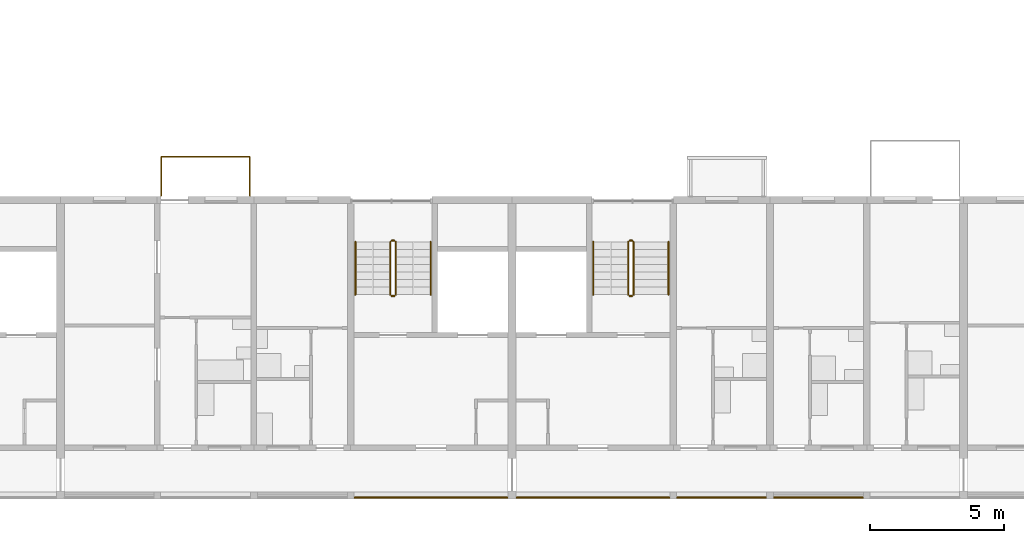
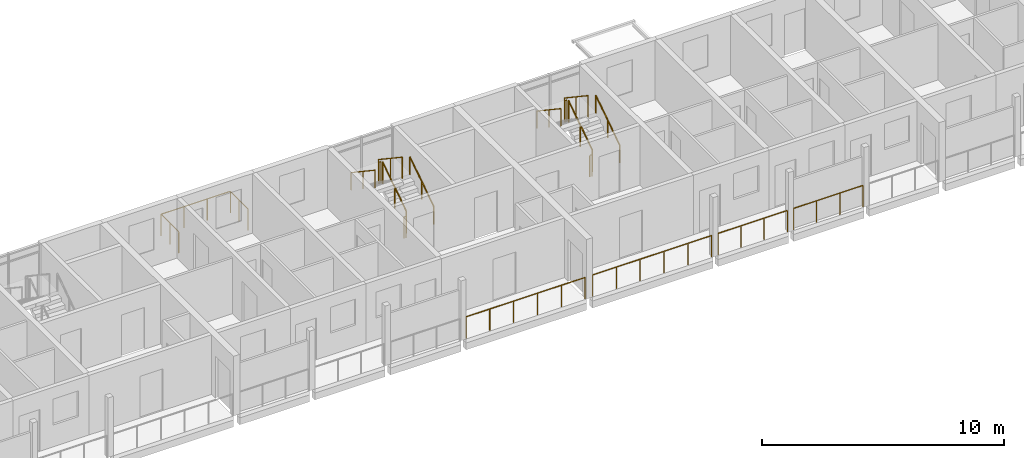
# One storey, part 78 of 99: 17 railings.
"""IFC4 building model written with IfcOpenShell, lengths in metres."""

from ifc_helpers import new_model, si_unit, direction, frame, origin, origin_2d, place, context, subcontext, project, spatial, circle, extrude, material, type_object, element, save


model = new_model("IFC4")

# Units and contexts
model_context = context("Model", 3, precision=1e-05, world=origin(), true_north=direction((0.0, 1.0)))
body_context = subcontext(model_context, "Body", "Model", "MODEL_VIEW")
ifc_project = project(units=[si_unit("LENGTHUNIT", "METRE"), si_unit("AREAUNIT", "SQUARE_METRE"), si_unit("VOLUMEUNIT", "CUBIC_METRE"), si_unit("PLANEANGLEUNIT", "RADIAN"), si_unit("MASSUNIT", "GRAM", prefix="KILO")], contexts=[model_context])

# Site, building, storey
site_placement = place(None, origin())
site = spatial("IfcSite", under=ifc_project, at=site_placement, CompositionType="ELEMENT")
building_placement = place(site_placement, origin())
building = spatial("IfcBuilding", under=site, at=building_placement, Name="Ridgestep Commons", CompositionType="ELEMENT")
storey_placement = place(building_placement, frame((0.0, 0.0, 15.0)))
storey = spatial("IfcBuildingStorey", under=building, at=storey_placement, Name="L05", CompositionType="ELEMENT", Elevation=15.0)

# Railings
ifc_material_1 = material(Name="Structural steel S355JR", Category="steel")
railing_type_1 = type_object("IfcRailingType", Name="Guard 1100", PredefinedType="GUARDRAIL", material=ifc_material_1)
railing_1_placement = place(storey_placement, frame((39.74609375, 11.800048828125, 0.0)))
element("IfcRailing", 1, at=railing_1_placement, inside=storey, type_object=railing_type_1, Name="Gallery guard A 05.8", PredefinedType="GUARDRAIL", context=body_context, shape_type="SweptSolid", body=[
    extrude(circle(Radius=0.02392578125, at=origin_2d()), frame((0.0, 0.0, 1.076171875), z_axis=(1.0, 0.0, 0.0), x_axis=(0.0, 1.0, 0.0)), (0.0, 0.0, 1.0), 5.682861328125),
    extrude(circle(Radius=0.02099609375, at=origin_2d()), origin(), (0.0, 0.0, 1.0), 1.052001953125),
    extrude(circle(Radius=0.02099609375, at=origin_2d()), frame((1.136474609375, 0.0, 0.0)), (0.0, 0.0, 1.0), 1.052001953125),
    extrude(circle(Radius=0.02099609375, at=origin_2d()), frame((2.273193359375, 0.0, 0.0)), (0.0, 0.0, 1.0), 1.052001953125),
    extrude(circle(Radius=0.02099609375, at=origin_2d()), frame((3.40966796875, 0.0, 0.0)), (0.0, 0.0, 1.0), 1.052001953125),
    extrude(circle(Radius=0.02099609375, at=origin_2d()), frame((4.54638671875, 0.0, 0.0)), (0.0, 0.0, 1.0), 1.052001953125),
    extrude(circle(Radius=0.02099609375, at=origin_2d()), frame((5.682861328125, 0.0, 0.0)), (0.0, 0.0, 1.0), 1.052001953125),
])
railing_2_placement = place(storey_placement, frame((45.77099609375, 11.800048828125, 0.0)))
element("IfcRailing", 2, at=railing_2_placement, inside=storey, type_object=railing_type_1, Name="Gallery guard A 05.9", PredefinedType="GUARDRAIL", context=body_context, shape_type="SweptSolid", body=[
    extrude(circle(Radius=0.02392578125, at=origin_2d()), frame((0.0, 0.0, 1.076171875), z_axis=(1.0, 0.0, 0.0), x_axis=(0.0, 1.0, 0.0)), (0.0, 0.0, 1.0), 5.68310546875),
    extrude(circle(Radius=0.02099609375, at=origin_2d()), origin(), (0.0, 0.0, 1.0), 1.052001953125),
    extrude(circle(Radius=0.02099609375, at=origin_2d()), frame((1.13671875, 0.0, 0.0)), (0.0, 0.0, 1.0), 1.052001953125),
    extrude(circle(Radius=0.02099609375, at=origin_2d()), frame((2.273193359375, 0.0, 0.0)), (0.0, 0.0, 1.0), 1.052001953125),
    extrude(circle(Radius=0.02099609375, at=origin_2d()), frame((3.409912109375, 0.0, 0.0)), (0.0, 0.0, 1.0), 1.052001953125),
    extrude(circle(Radius=0.02099609375, at=origin_2d()), frame((4.54638671875, 0.0, 0.0)), (0.0, 0.0, 1.0), 1.052001953125),
    extrude(circle(Radius=0.02099609375, at=origin_2d()), frame((5.68310546875, 0.0, 0.0)), (0.0, 0.0, 1.0), 1.052001953125),
])
railing_3_placement = place(storey_placement, frame((51.74609375, 11.800048828125, 0.0)))
element("IfcRailing", 3, at=railing_3_placement, inside=storey, type_object=railing_type_1, Name="Gallery guard A 05.10", PredefinedType="GUARDRAIL", context=body_context, shape_type="SweptSolid", body=[
    extrude(circle(Radius=0.02392578125, at=origin_2d()), frame((0.0, 0.0, 1.076171875), z_axis=(1.0, 0.0, 0.0), x_axis=(0.0, 1.0, 0.0)), (0.0, 0.0, 1.0), 3.307861328125),
    extrude(circle(Radius=0.02099609375, at=origin_2d()), origin(), (0.0, 0.0, 1.0), 1.052001953125),
    extrude(circle(Radius=0.02099609375, at=origin_2d()), frame((1.1025390625, 0.0, 0.0)), (0.0, 0.0, 1.0), 1.052001953125),
    extrude(circle(Radius=0.02099609375, at=origin_2d()), frame((2.205322265625, 0.0, 0.0)), (0.0, 0.0, 1.0), 1.052001953125),
    extrude(circle(Radius=0.02099609375, at=origin_2d()), frame((3.307861328125, 0.0, 0.0)), (0.0, 0.0, 1.0), 1.052001953125),
])
railing_4_placement = place(storey_placement, frame((55.345947265625, 11.800048828125, 0.0)))
element("IfcRailing", 4, at=railing_4_placement, inside=storey, type_object=railing_type_1, Name="Gallery guard A 05.11", PredefinedType="GUARDRAIL", context=body_context, shape_type="SweptSolid", body=[
    extrude(circle(Radius=0.02392578125, at=origin_2d()), frame((0.0, 0.0, 1.076171875), z_axis=(1.0, 0.0, 0.0), x_axis=(0.0, 1.0, 0.0)), (0.0, 0.0, 1.0), 3.30810546875),
    extrude(circle(Radius=0.02099609375, at=origin_2d()), origin(), (0.0, 0.0, 1.0), 1.052001953125),
    extrude(circle(Radius=0.02099609375, at=origin_2d()), frame((1.102783203125, 0.0, 0.0)), (0.0, 0.0, 1.0), 1.052001953125),
    extrude(circle(Radius=0.02099609375, at=origin_2d()), frame((2.205322265625, 0.0, 0.0)), (0.0, 0.0, 1.0), 1.052001953125),
    extrude(circle(Radius=0.02099609375, at=origin_2d()), frame((3.30810546875, 0.0, 0.0)), (0.0, 0.0, 1.0), 1.052001953125),
])
ifc_material_2 = material(Name="Structural steel S355JR", Category="steel")
railing_type_2 = type_object("IfcRailingType", Name="Stair guard 1100", PredefinedType="GUARDRAIL", material=ifc_material_2)
railing_5_placement = place(storey_placement, frame((41.27490234375, 19.35009765625, 0.1875)))
element("IfcRailing", 5, at=railing_5_placement, inside=storey, type_object=railing_type_2, Name="L05 A2C stair guard 1", PredefinedType="GUARDRAIL", context=body_context, shape_type="SweptSolid", body=[
    extrude(circle(Radius=0.02392578125, at=origin_2d()), frame((0.0, 0.0, 1.076171875), z_axis=(0.0, 0.830902050051, 0.556418712142), x_axis=(-1.0, 0.0, 0.0)), (0.0, 0.0, 1.0), 2.35888671875),
    extrude(circle(Radius=0.02099609375, at=origin_2d()), origin(), (0.0, 0.0, 1.0), 1.052001953125),
    extrude(circle(Radius=0.02099609375, at=origin_2d()), frame((0.0, 0.97998046875, 0.65625)), (0.0, 0.0, 1.0), 1.052001953125),
    extrude(circle(Radius=0.02099609375, at=origin_2d()), frame((0.0, 1.9599609375, 1.3125)), (0.0, 0.0, 1.0), 1.052001953125),
])
railing_6_placement = place(storey_placement, frame((41.22509765625, 21.360107421875, 1.5)))
element("IfcRailing", 6, at=railing_6_placement, inside=storey, type_object=railing_type_2, Name="L05 A2C stair guard 2", PredefinedType="GUARDRAIL", context=body_context, shape_type="SweptSolid", body=[
    extrude(circle(Radius=0.02392578125, at=origin_2d()), frame((0.0, 0.0, 1.076171875), z_axis=(-1.0, 0.0, 0.0), x_axis=(0.0, -1.0, 0.0)), (0.0, 0.0, 1.0), 0.10009765625),
    extrude(circle(Radius=0.02099609375, at=origin_2d()), origin(), (0.0, 0.0, 1.0), 1.052001953125),
    extrude(circle(Radius=0.02099609375, at=origin_2d()), frame((-0.10009765625, 0.0, 0.0)), (0.0, 0.0, 1.0), 1.052001953125),
])
railing_7_placement = place(storey_placement, frame((41.074951171875, 21.31005859375, 1.6875)))
element("IfcRailing", 7, at=railing_7_placement, inside=storey, type_object=railing_type_2, Name="L05 A2C stair guard 3", PredefinedType="GUARDRAIL", context=body_context, shape_type="SweptSolid", body=[
    extrude(circle(Radius=0.02392578125, at=origin_2d()), frame((0.0, 0.0, 1.076171875), z_axis=(0.0, -0.830902050051, 0.556418712142), x_axis=(1.0, 0.0, 0.0)), (0.0, 0.0, 1.0), 2.35888671875),
    extrude(circle(Radius=0.02099609375, at=origin_2d()), origin(), (0.0, 0.0, 1.0), 1.052001953125),
    extrude(circle(Radius=0.02099609375, at=origin_2d()), frame((0.0, -0.97998046875, 0.65625)), (0.0, 0.0, 1.0), 1.052001953125),
    extrude(circle(Radius=0.02099609375, at=origin_2d()), frame((0.0, -1.9599609375, 1.3125)), (0.0, 0.0, 1.0), 1.052001953125),
])
railing_8_placement = place(storey_placement, frame((41.22509765625, 19.300048828125, 0.0)))
element("IfcRailing", 8, at=railing_8_placement, inside=storey, type_object=railing_type_2, Name="L05 A2C stair guard 4", PredefinedType="GUARDRAIL", context=body_context, shape_type="SweptSolid", body=[
    extrude(circle(Radius=0.02392578125, at=origin_2d()), frame((0.0, 0.0, 1.076171875), z_axis=(-1.0, 0.0, 0.0), x_axis=(0.0, -1.0, 0.0)), (0.0, 0.0, 1.0), 0.10009765625),
    extrude(circle(Radius=0.02099609375, at=origin_2d()), origin(), (0.0, 0.0, 1.0), 1.052001953125),
    extrude(circle(Radius=0.02099609375, at=origin_2d()), frame((-0.10009765625, 0.0, 0.0)), (0.0, 0.0, 1.0), 1.052001953125),
])
railing_9_placement = place(storey_placement, frame((50.125, 19.35009765625, 0.1875)))
element("IfcRailing", 9, at=railing_9_placement, inside=storey, type_object=railing_type_2, Name="L05 A3C stair guard 1", PredefinedType="GUARDRAIL", context=body_context, shape_type="SweptSolid", body=[
    extrude(circle(Radius=0.02392578125, at=origin_2d()), frame((0.0, 0.0, 1.076171875), z_axis=(0.0, 0.830902050051, 0.556418712142), x_axis=(-1.0, 0.0, 0.0)), (0.0, 0.0, 1.0), 2.35888671875),
    extrude(circle(Radius=0.02099609375, at=origin_2d()), origin(), (0.0, 0.0, 1.0), 1.052001953125),
    extrude(circle(Radius=0.02099609375, at=origin_2d()), frame((0.0, 0.97998046875, 0.65625)), (0.0, 0.0, 1.0), 1.052001953125),
    extrude(circle(Radius=0.02099609375, at=origin_2d()), frame((0.0, 1.9599609375, 1.3125)), (0.0, 0.0, 1.0), 1.052001953125),
])
railing_10_placement = place(storey_placement, frame((50.074951171875, 21.360107421875, 1.5)))
element("IfcRailing", 10, at=railing_10_placement, inside=storey, type_object=railing_type_2, Name="L05 A3C stair guard 2", PredefinedType="GUARDRAIL", context=body_context, shape_type="SweptSolid", body=[
    extrude(circle(Radius=0.02392578125, at=origin_2d()), frame((0.0, 0.0, 1.076171875), z_axis=(-1.0, 0.0, 0.0), x_axis=(0.0, -1.0, 0.0)), (0.0, 0.0, 1.0), 0.099853515625),
    extrude(circle(Radius=0.02099609375, at=origin_2d()), origin(), (0.0, 0.0, 1.0), 1.052001953125),
    extrude(circle(Radius=0.02099609375, at=origin_2d()), frame((-0.099853515625, 0.0, 0.0)), (0.0, 0.0, 1.0), 1.052001953125),
])
railing_11_placement = place(storey_placement, frame((49.925048828125, 21.31005859375, 1.6875)))
element("IfcRailing", 11, at=railing_11_placement, inside=storey, type_object=railing_type_2, Name="L05 A3C stair guard 3", PredefinedType="GUARDRAIL", context=body_context, shape_type="SweptSolid", body=[
    extrude(circle(Radius=0.02392578125, at=origin_2d()), frame((0.0, 0.0, 1.076171875), z_axis=(0.0, -0.830902050051, 0.556418712142), x_axis=(1.0, 0.0, 0.0)), (0.0, 0.0, 1.0), 2.35888671875),
    extrude(circle(Radius=0.02099609375, at=origin_2d()), origin(), (0.0, 0.0, 1.0), 1.052001953125),
    extrude(circle(Radius=0.02099609375, at=origin_2d()), frame((0.0, -0.97998046875, 0.65625)), (0.0, 0.0, 1.0), 1.052001953125),
    extrude(circle(Radius=0.02099609375, at=origin_2d()), frame((0.0, -1.9599609375, 1.3125)), (0.0, 0.0, 1.0), 1.052001953125),
])
railing_12_placement = place(storey_placement, frame((50.074951171875, 19.300048828125, 0.0)))
element("IfcRailing", 12, at=railing_12_placement, inside=storey, type_object=railing_type_2, Name="L05 A3C stair guard 4", PredefinedType="GUARDRAIL", context=body_context, shape_type="SweptSolid", body=[
    extrude(circle(Radius=0.02392578125, at=origin_2d()), frame((0.0, 0.0, 1.076171875), z_axis=(-1.0, 0.0, 0.0), x_axis=(0.0, -1.0, 0.0)), (0.0, 0.0, 1.0), 0.099853515625),
    extrude(circle(Radius=0.02099609375, at=origin_2d()), origin(), (0.0, 0.0, 1.0), 1.052001953125),
    extrude(circle(Radius=0.02099609375, at=origin_2d()), frame((-0.099853515625, 0.0, 0.0)), (0.0, 0.0, 1.0), 1.052001953125),
])
ifc_material_3 = material(Name="Structural steel S355JR", Category="steel")
railing_type_3 = type_object("IfcRailingType", Name="Stair handrail 900", PredefinedType="HANDRAIL", material=ifc_material_3)
railing_13_placement = place(storey_placement, frame((42.574951171875, 19.35009765625, 0.1875)))
element("IfcRailing", 13, at=railing_13_placement, inside=storey, type_object=railing_type_3, Name="L05 A2C stair handrail 1", PredefinedType="HANDRAIL", context=body_context, shape_type="SweptSolid", body=[
    extrude(circle(Radius=0.02392578125, at=origin_2d()), frame((0.0, 0.0, 0.8759765625), z_axis=(0.0, 0.830902050051, 0.556418712142), x_axis=(-1.0, 0.0, 0.0)), (0.0, 0.0, 1.0), 2.35888671875),
    extrude(circle(Radius=0.02099609375, at=origin_2d()), origin(), (0.0, 0.0, 1.0), 0.851806640625),
    extrude(circle(Radius=0.02099609375, at=origin_2d()), frame((0.0, 0.97998046875, 0.65625)), (0.0, 0.0, 1.0), 0.851806640625),
    extrude(circle(Radius=0.02099609375, at=origin_2d()), frame((0.0, 1.9599609375, 1.3125)), (0.0, 0.0, 1.0), 0.851806640625),
])
railing_14_placement = place(storey_placement, frame((39.77490234375, 21.31005859375, 1.6875)))
element("IfcRailing", 14, at=railing_14_placement, inside=storey, type_object=railing_type_3, Name="L05 A2C stair handrail 2", PredefinedType="HANDRAIL", context=body_context, shape_type="SweptSolid", body=[
    extrude(circle(Radius=0.02392578125, at=origin_2d()), frame((0.0, 0.0, 0.8759765625), z_axis=(0.0, -0.830902050051, 0.556418712142), x_axis=(1.0, 0.0, 0.0)), (0.0, 0.0, 1.0), 2.35888671875),
    extrude(circle(Radius=0.02099609375, at=origin_2d()), origin(), (0.0, 0.0, 1.0), 0.851806640625),
    extrude(circle(Radius=0.02099609375, at=origin_2d()), frame((0.0, -0.97998046875, 0.65625)), (0.0, 0.0, 1.0), 0.851806640625),
    extrude(circle(Radius=0.02099609375, at=origin_2d()), frame((0.0, -1.9599609375, 1.3125)), (0.0, 0.0, 1.0), 0.851806640625),
])
railing_15_placement = place(storey_placement, frame((51.425048828125, 19.35009765625, 0.1875)))
element("IfcRailing", 15, at=railing_15_placement, inside=storey, type_object=railing_type_3, Name="L05 A3C stair handrail 1", PredefinedType="HANDRAIL", context=body_context, shape_type="SweptSolid", body=[
    extrude(circle(Radius=0.02392578125, at=origin_2d()), frame((0.0, 0.0, 0.8759765625), z_axis=(0.0, 0.830902050051, 0.556418712142), x_axis=(-1.0, 0.0, 0.0)), (0.0, 0.0, 1.0), 2.35888671875),
    extrude(circle(Radius=0.02099609375, at=origin_2d()), origin(), (0.0, 0.0, 1.0), 0.851806640625),
    extrude(circle(Radius=0.02099609375, at=origin_2d()), frame((0.0, 0.97998046875, 0.65625)), (0.0, 0.0, 1.0), 0.851806640625),
    extrude(circle(Radius=0.02099609375, at=origin_2d()), frame((0.0, 1.9599609375, 1.3125)), (0.0, 0.0, 1.0), 0.851806640625),
])
railing_16_placement = place(storey_placement, frame((48.625, 21.31005859375, 1.6875)))
element("IfcRailing", 16, at=railing_16_placement, inside=storey, type_object=railing_type_3, Name="L05 A3C stair handrail 2", PredefinedType="HANDRAIL", context=body_context, shape_type="SweptSolid", body=[
    extrude(circle(Radius=0.02392578125, at=origin_2d()), frame((0.0, 0.0, 0.8759765625), z_axis=(0.0, -0.830902050051, 0.556418712142), x_axis=(1.0, 0.0, 0.0)), (0.0, 0.0, 1.0), 2.35888671875),
    extrude(circle(Radius=0.02099609375, at=origin_2d()), origin(), (0.0, 0.0, 1.0), 0.851806640625),
    extrude(circle(Radius=0.02099609375, at=origin_2d()), frame((0.0, -0.97998046875, 0.65625)), (0.0, 0.0, 1.0), 0.851806640625),
    extrude(circle(Radius=0.02099609375, at=origin_2d()), frame((0.0, -1.9599609375, 1.3125)), (0.0, 0.0, 1.0), 0.851806640625),
])
ifc_material_4 = material(Name="Weathering steel S355J2W", Category="steel")
railing_type_4 = type_object("IfcRailingType", Name="Tray guard 1100", PredefinedType="GUARDRAIL", material=ifc_material_4)
railing_17_placement = place(storey_placement, frame((32.551025390625, 23.02099609375, 0.0)))
element("IfcRailing", 17, at=railing_17_placement, inside=storey, type_object=railing_type_4, Name="Tray guard A2T2-05", PredefinedType="GUARDRAIL", context=body_context, shape_type="SweptSolid", body=[
    extrude(circle(Radius=0.02392578125, at=origin_2d()), frame((0.0, 0.0, 1.076171875), z_axis=(0.0, 1.0, 0.0), x_axis=(-1.0, 0.0, 0.0)), (0.0, 0.0, 1.0), 1.4580078125),
    extrude(circle(Radius=0.02392578125, at=origin_2d()), frame((0.0, 1.4580078125, 1.076171875), z_axis=(1.0, 0.0, 0.0), x_axis=(0.0, 1.0, 0.0)), (0.0, 0.0, 1.0), 3.298095703125),
    extrude(circle(Radius=0.02392578125, at=origin_2d()), frame((3.298095703125, 1.4580078125, 1.076171875), z_axis=(0.0, -1.0, 0.0), x_axis=(1.0, 0.0, 0.0)), (0.0, 0.0, 1.0), 1.4580078125),
    extrude(circle(Radius=0.02099609375, at=origin_2d()), origin(), (0.0, 0.0, 1.0), 1.052001953125),
    extrude(circle(Radius=0.02099609375, at=origin_2d()), frame((0.0, 0.72900390625, 0.0)), (0.0, 0.0, 1.0), 1.052001953125),
    extrude(circle(Radius=0.02099609375, at=origin_2d()), frame((0.0, 1.4580078125, 0.0)), (0.0, 0.0, 1.0), 1.052001953125),
    extrude(circle(Radius=0.02099609375, at=origin_2d()), frame((1.099365234375, 1.4580078125, 0.0)), (0.0, 0.0, 1.0), 1.052001953125),
    extrude(circle(Radius=0.02099609375, at=origin_2d()), frame((2.19873046875, 1.4580078125, 0.0)), (0.0, 0.0, 1.0), 1.052001953125),
    extrude(circle(Radius=0.02099609375, at=origin_2d()), frame((3.298095703125, 1.4580078125, 0.0)), (0.0, 0.0, 1.0), 1.052001953125),
    extrude(circle(Radius=0.02099609375, at=origin_2d()), frame((3.298095703125, 0.72900390625, 0.0)), (0.0, 0.0, 1.0), 1.052001953125),
    extrude(circle(Radius=0.02099609375, at=origin_2d()), frame((3.298095703125, 0.0, 0.0)), (0.0, 0.0, 1.0), 1.052001953125),
])

save(model, "model.ifc")
